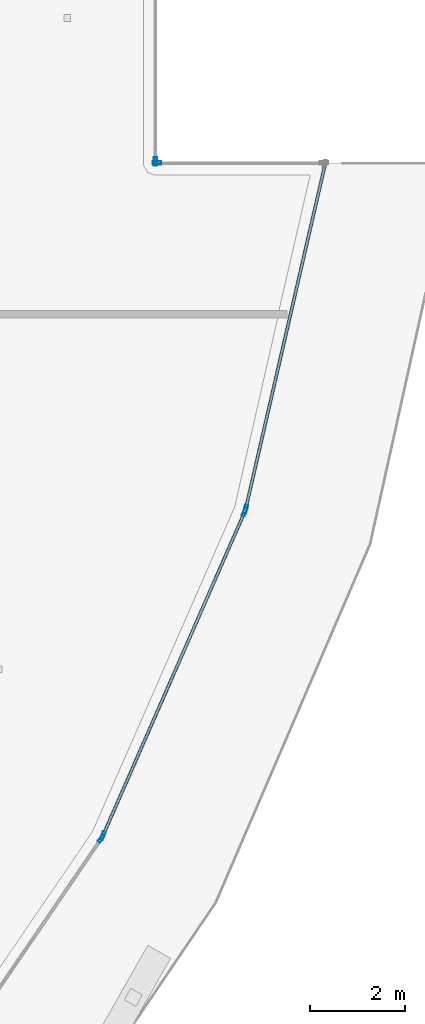
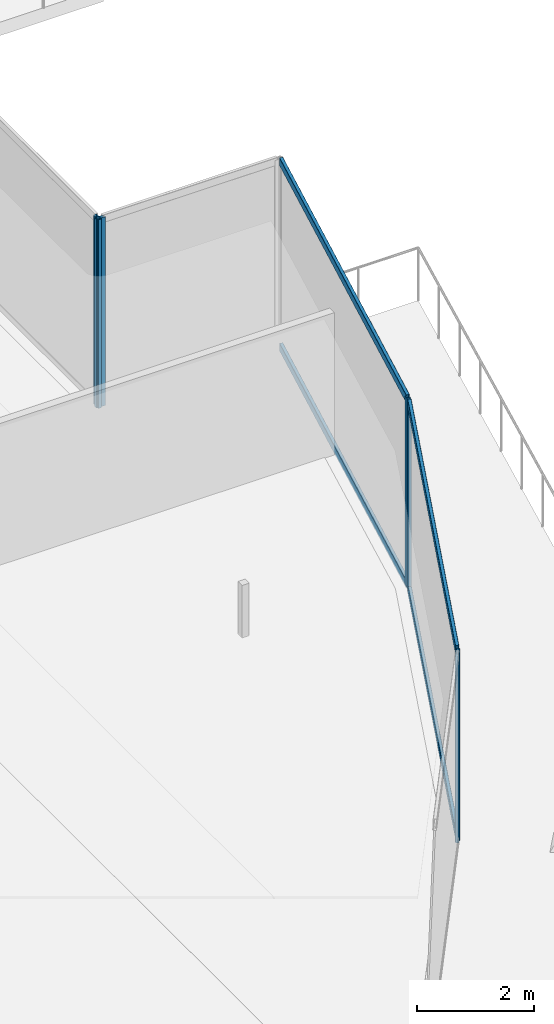
# One storey, part 23 of 44: 10 members, 5 elements without a shape of their own.
"""IFC4 building model written with IfcOpenShell, lengths in metres."""

from ifc_helpers import new_model, si_unit, direction, frame, origin, origin_2d, place, context, subcontext, project, spatial, hollow_rectangle, extrude, material, layer, layer_set, material_profile, profile_set, type_object, element, aggregate, save


model = new_model("IFC4")

# Units and contexts
model_context = context("Model", 3, precision=1e-05, world=origin(), true_north=direction((0.0, 1.0)))
body_context = subcontext(model_context, "Body", "Model", "MODEL_VIEW")
ifc_project = project(units=[si_unit("LENGTHUNIT", "METRE"), si_unit("AREAUNIT", "SQUARE_METRE"), si_unit("VOLUMEUNIT", "CUBIC_METRE"), si_unit("PLANEANGLEUNIT", "RADIAN"), si_unit("MASSUNIT", "GRAM", prefix="KILO")], contexts=[model_context])

# Site, building, storey
site_placement = place(None, origin())
site = spatial("IfcSite", under=ifc_project, at=site_placement, CompositionType="ELEMENT")
building_placement = place(site_placement, origin())
building = spatial("IfcBuilding", under=site, at=building_placement, Name="Qorvath Tower", CompositionType="ELEMENT")
storey_placement = place(building_placement, frame((0.0, 0.0, 40.800048828125)))
storey = spatial("IfcBuildingStorey", under=building, at=storey_placement, Name="L08", CompositionType="ELEMENT", Elevation=40.800048828125)

# Curtain wall, member
ifc_material_1 = material(Name="Anodised aluminium and triple low-E glass", Category="aluminium")
ifc_layer = layer(ifc_material_1, 0.179931640625)
ifc_layer_set = layer_set([ifc_layer], Name="CW-SYS-2")
curtain_wall_type = type_object("IfcCurtainWallType", Name="CW-SYS-2", PredefinedType="NOTDEFINED", material=ifc_layer_set)
curtain_wall_1_placement = place(storey_placement, origin())
curtain_wall_1 = element("IfcCurtainWall", 1, at=curtain_wall_1_placement, inside=storey, type_object=curtain_wall_type, Name="Curtain Wall CW-2 CW-T-L08-5.1", PredefinedType="NOTDEFINED")
ifc_material_2 = material(Name="Anodised aluminium 6063-T6", Category="aluminium")
ifc_material_profile_1 = material_profile(ifc_material_2, hollow_rectangle(XDim=0.06494140625, YDim=0.179931640625, WallThickness=0.00341796875, InnerFilletRadius=0.00341796875, OuterFilletRadius=0.007080078125, at=origin_2d()), Name="CWM 180x65")
ifc_profile_set_1 = profile_set([ifc_material_profile_1], Name="Anodised aluminium 6063-T6")
member_type_1 = type_object("IfcMemberType", Name="CWM-180", PredefinedType="MULLION", material=ifc_profile_set_1)
member_1_placement = place(storey_placement, frame((2.60498046875, -19.55615234375, 0.0), z_axis=(0.0, 0.0, 1.0), x_axis=(-0.825849008834, 0.563891314535, 0.0)))
member_1 = element("IfcMember", 2, at=member_1_placement, type_object=member_type_1, Name="CW-2 mullion 2", PredefinedType="MULLION", context=body_context, shape_type="SweptSolid", body=[
    extrude(hollow_rectangle(XDim=0.06494140625, YDim=0.179931640625, WallThickness=0.00341796875, InnerFilletRadius=0.00341796875, OuterFilletRadius=0.007080078125, at=origin_2d()), origin(), (0.0, 0.0, 1.0), 3.919921875),
])
aggregate(curtain_wall_1, [member_1])

# Curtain wall, members
curtain_wall_2_placement = place(storey_placement, origin())
curtain_wall_2 = element("IfcCurtainWall", 3, at=curtain_wall_2_placement, inside=storey, type_object=curtain_wall_type, Name="Curtain Wall CW-2 CW-T-L08-6.1", PredefinedType="NOTDEFINED")
member_2_placement = place(storey_placement, frame((2.63623046875, -19.49951171875, 0.0), z_axis=(0.0, 0.0, 1.0), x_axis=(-0.916000523281, 0.401177069819, 0.0)))
member_2 = element("IfcMember", 4, at=member_2_placement, type_object=member_type_1, Name="CW-2 mullion 1", PredefinedType="MULLION", context=body_context, shape_type="SweptSolid", body=[
    extrude(hollow_rectangle(XDim=0.06494140625, YDim=0.179931640625, WallThickness=0.00341796875, InnerFilletRadius=0.00341796875, OuterFilletRadius=0.007080078125, at=origin_2d()), origin(), (0.0, 0.0, 1.0), 3.919921875),
])
member_3_placement = place(storey_placement, frame((5.617919921875, -12.69189453125, 0.0), z_axis=(0.0, 0.0, 1.0), x_axis=(-0.916000523281, 0.401177069819, 0.0)))
member_3 = element("IfcMember", 5, at=member_3_placement, type_object=member_type_1, Name="CW-2 mullion 2", PredefinedType="MULLION", context=body_context, shape_type="SweptSolid", body=[
    extrude(hollow_rectangle(XDim=0.06494140625, YDim=0.179931640625, WallThickness=0.00341796875, InnerFilletRadius=0.00341796875, OuterFilletRadius=0.007080078125, at=origin_2d()), origin(), (0.0, 0.0, 1.0), 3.919921875),
])

# Curtain wall, member
curtain_wall_3_placement = place(storey_placement, origin())
curtain_wall_3 = element("IfcCurtainWall", 6, at=curtain_wall_3_placement, inside=storey, type_object=curtain_wall_type, Name="Curtain Wall CW-2 CW-T-L08-7.1", PredefinedType="NOTDEFINED")
member_4_placement = place(storey_placement, frame((5.63818359375, -12.63037109375, 0.0), z_axis=(0.0, 0.0, 1.0), x_axis=(-0.974466004857, 0.224535087188, 0.0)))
member_4 = element("IfcMember", 7, at=member_4_placement, type_object=member_type_1, Name="CW-2 mullion 1", PredefinedType="MULLION", context=body_context, shape_type="SweptSolid", body=[
    extrude(hollow_rectangle(XDim=0.06494140625, YDim=0.179931640625, WallThickness=0.00341796875, InnerFilletRadius=0.00341796875, OuterFilletRadius=0.007080078125, at=origin_2d()), origin(), (0.0, 0.0, 1.0), 3.919921875),
])

curtain_wall_4_placement = place(storey_placement, origin())
curtain_wall_4 = element("IfcCurtainWall", 8, at=curtain_wall_4_placement, inside=storey, type_object=curtain_wall_type, Name="Curtain Wall CW-2 CW-T-L08-8.1", PredefinedType="NOTDEFINED")
member_5_placement = place(storey_placement, frame((3.775390625, -5.356689453125, 0.0), z_axis=(0.0, 0.0, 1.0), x_axis=(0.0, -1.0, 0.0)))
member_5 = element("IfcMember", 9, at=member_5_placement, type_object=member_type_1, Name="CW-2 mullion 2", PredefinedType="MULLION", context=body_context, shape_type="SweptSolid", body=[
    extrude(hollow_rectangle(XDim=0.06494140625, YDim=0.179931640625, WallThickness=0.00341796875, InnerFilletRadius=0.00341796875, OuterFilletRadius=0.007080078125, at=origin_2d()), origin(), (0.0, 0.0, 1.0), 3.919921875),
])
aggregate(curtain_wall_4, [member_5])

curtain_wall_5_placement = place(storey_placement, origin())
curtain_wall_5 = element("IfcCurtainWall", 10, at=curtain_wall_5_placement, inside=storey, type_object=curtain_wall_type, Name="Curtain Wall CW-2 CW-T-L08-9.1", PredefinedType="NOTDEFINED")
member_6_placement = place(storey_placement, frame((3.742919921875, -5.32421875, 0.0), z_axis=(0.0, 0.0, 1.0), x_axis=(-1.0, 0.0, 0.0)))
member_6 = element("IfcMember", 11, at=member_6_placement, type_object=member_type_1, Name="CW-2 mullion 1", PredefinedType="MULLION", context=body_context, shape_type="SweptSolid", body=[
    extrude(hollow_rectangle(XDim=0.06494140625, YDim=0.179931640625, WallThickness=0.00341796875, InnerFilletRadius=0.00341796875, OuterFilletRadius=0.007080078125, at=origin_2d()), origin(), (0.0, 0.0, 1.0), 3.919921875),
])
aggregate(curtain_wall_5, [member_6])

# Member
ifc_material_3 = material(Name="Anodised aluminium 6063-T6", Category="aluminium")
ifc_material_profile_2 = material_profile(ifc_material_3, hollow_rectangle(XDim=0.06494140625, YDim=0.159912109375, WallThickness=0.00341796875, InnerFilletRadius=0.00341796875, OuterFilletRadius=0.007080078125, at=origin_2d()), Name="CWT 160x65")
ifc_profile_set_2 = profile_set([ifc_material_profile_2], Name="Anodised aluminium 6063-T6")
member_type_2 = type_object("IfcMemberType", Name="CWT-160", PredefinedType="USERDEFINED", material=ifc_profile_set_2)
member_7_placement = place(storey_placement, frame((2.6494140625, -19.4697265625, 0.032470703125), z_axis=(0.401166509416, 0.916005148306, 0.0), x_axis=(-0.916005148306, 0.401166509416, 0.0)))
member_7 = element("IfcMember", 12, at=member_7_placement, type_object=member_type_2, Name="CW-2 transom 1.1", ObjectType="TRANSOM", PredefinedType="USERDEFINED", context=body_context, shape_type="SweptSolid", body=[
    extrude(hollow_rectangle(XDim=0.06494140625, YDim=0.159912109375, WallThickness=0.00341796875, InnerFilletRadius=0.00341796875, OuterFilletRadius=0.007080078125, at=origin_2d()), origin(), (0.0, 0.0, 1.0), 7.366943359375),
])

member_8_placement = place(storey_placement, frame((2.6494140625, -19.4697265625, 3.887451171875), z_axis=(0.401166509416, 0.916005148306, 0.0), x_axis=(-0.916005148306, 0.401166509416, 0.0)))
member_8 = element("IfcMember", 13, at=member_8_placement, type_object=member_type_2, Name="CW-2 transom 1.2", ObjectType="TRANSOM", PredefinedType="USERDEFINED", context=body_context, shape_type="SweptSolid", body=[
    extrude(hollow_rectangle(XDim=0.06494140625, YDim=0.159912109375, WallThickness=0.00341796875, InnerFilletRadius=0.00341796875, OuterFilletRadius=0.007080078125, at=origin_2d()), origin(), (0.0, 0.0, 1.0), 7.366943359375),
])

aggregate(curtain_wall_2, [member_2, member_3, member_7, member_8])

member_9_placement = place(storey_placement, frame((5.6455078125, -12.598876953125, 0.032470703125), z_axis=(0.224520650213, 0.974469331292, 0.0), x_axis=(-0.974469331292, 0.224520650213, 0.0)))
member_9 = element("IfcMember", 14, at=member_9_placement, type_object=member_type_2, Name="CW-2 transom 1.1", ObjectType="TRANSOM", PredefinedType="USERDEFINED", context=body_context, shape_type="SweptSolid", body=[
    extrude(hollow_rectangle(XDim=0.06494140625, YDim=0.159912109375, WallThickness=0.00341796875, InnerFilletRadius=0.00341796875, OuterFilletRadius=0.007080078125, at=origin_2d()), origin(), (0.0, 0.0, 1.0), 7.366943359375),
])

member_10_placement = place(storey_placement, frame((5.6455078125, -12.598876953125, 3.887451171875), z_axis=(0.224520650213, 0.974469331292, 0.0), x_axis=(-0.974469331292, 0.224520650213, 0.0)))
member_10 = element("IfcMember", 15, at=member_10_placement, type_object=member_type_2, Name="CW-2 transom 1.2", ObjectType="TRANSOM", PredefinedType="USERDEFINED", context=body_context, shape_type="SweptSolid", body=[
    extrude(hollow_rectangle(XDim=0.06494140625, YDim=0.159912109375, WallThickness=0.00341796875, InnerFilletRadius=0.00341796875, OuterFilletRadius=0.007080078125, at=origin_2d()), origin(), (0.0, 0.0, 1.0), 7.366943359375),
])

aggregate(curtain_wall_3, [member_4, member_9, member_10])

save(model, "model.ifc")
